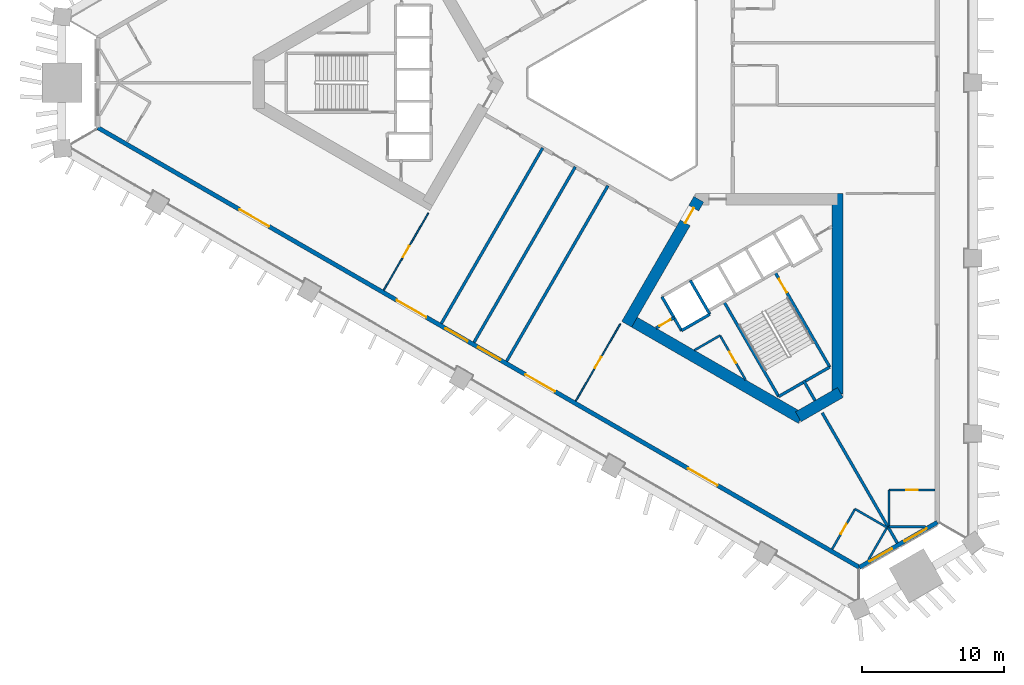
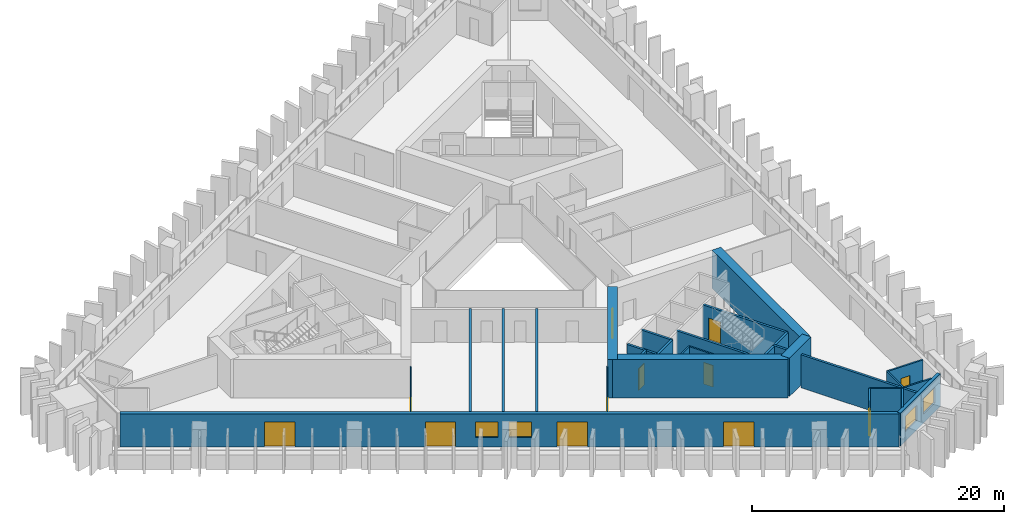
# One storey, part 2 of 10: 28 walls, 12 doors, 4 windows, 16 openings.
"""IFC4 building model written with IfcOpenShell, lengths in metres."""

from ifc_helpers import new_model, si_unit, direction, frame, frame_2d, origin, place, context, subcontext, project, spatial, rectangle, extrude, material, layer, layer_set, type_object, element, fill, save


model = new_model("IFC4")

# Units and contexts
model_context = context("Model", 3, precision=1e-05, world=origin(), true_north=direction((0.0, 1.0)))
body_context = subcontext(model_context, "Body", "Model", "MODEL_VIEW")
ifc_project = project(units=[si_unit("LENGTHUNIT", "METRE"), si_unit("AREAUNIT", "SQUARE_METRE"), si_unit("VOLUMEUNIT", "CUBIC_METRE"), si_unit("PLANEANGLEUNIT", "RADIAN"), si_unit("MASSUNIT", "GRAM", prefix="KILO")], contexts=[model_context])

# Site, building, storey
site_placement = place(None, origin())
site = spatial("IfcSite", under=ifc_project, at=site_placement, CompositionType="ELEMENT")
building_placement = place(site_placement, origin())
building = spatial("IfcBuilding", under=site, at=building_placement, Name="Jabali Bay Hotel Tower and Convention Centre", CompositionType="ELEMENT")
storey_placement = place(building_placement, frame((0.0, 0.0, 30.0)))
storey = spatial("IfcBuildingStorey", under=building, at=storey_placement, Name="L05", CompositionType="ELEMENT", Elevation=30.0)

# Wall
ifc_material_1 = material(Name="Concrete C40", Category="concrete")
ifc_layer_1 = layer(ifc_material_1, 0.199951171875)
ifc_layer_set_1 = layer_set([ifc_layer_1], Name="Concrete C40")
wall_type_1 = type_object("IfcWallType", Name="Core partition wall 200", PredefinedType="PARTITIONING", material=ifc_layer_set_1)
wall_1_placement = place(storey_placement, frame((87.090087890625, 59.0595703125, 0.0), z_axis=(0.0, 0.0, 1.0), x_axis=(0.499956811548, -0.866050337213, 0.0)))
element("IfcWall", 1, at=wall_1_placement, inside=storey, type_object=wall_type_1, Name="Core wall 2.5 L05", PredefinedType="PARTITIONING", context=body_context, shape_type="SweptSolid", body=[
    extrude(rectangle(XDim=1.623291015625, YDim=0.199951171875, at=frame_2d((0.8115234375, 0.0))), origin(), (0.0, 0.0, 1.0), 3.199951171875),
])

# Wall, opening, door
wall_2_placement = place(storey_placement, frame((76.719970703125, 62.748779296875, 0.0), z_axis=(0.0, 0.0, 1.0), x_axis=(0.866054810376, 0.49994906283, 0.0)))
wall_2 = element("IfcWall", 2, at=wall_2_placement, inside=storey, type_object=wall_type_1, Name="Core wall 2.11 L05", PredefinedType="PARTITIONING", context=body_context, shape_type="SweptSolid", body=[
    extrude(rectangle(XDim=1.461181640625, YDim=0.199951171875, at=frame_2d((0.73046875, 0.0))), origin(), (0.0, 0.0, 1.0), 3.199951171875),
])
opening_1_placement = place(wall_2_placement, frame((0.280517578125, 0.0, 0.0)))
opening_1 = element("IfcOpeningElement", 3, at=opening_1_placement, cuts=wall_2, Name="Opening D213", PredefinedType="OPENING", context=body_context, shape_type="SweptSolid", body=[
    extrude(rectangle(XDim=0.89990234375, YDim=2.10009765625, at=frame_2d((0.449951171875, 1.050048828125))), frame((0.0, 0.1103515625, 0.0), z_axis=(0.0, -1.0, 0.0), x_axis=(1.0, 0.0, 0.0)), (0.0, 0.0, 1.0), 0.220947265625),
])
ifc_material_2 = material(Name="Fire-rated steel door", Category="steel")
door_type_1 = type_object("IfcDoorType", Name="Vestibule fire door 900 x 2100", OperationType="NOTDEFINED", PredefinedType="NOTDEFINED", material=ifc_material_2)
door_1_placement = place(opening_1_placement, origin())
door_1 = element("IfcDoor", 4, at=door_1_placement, inside=storey, type_object=door_type_1, Name="Vestibule fire door D213", OperationType="SINGLE_SWING_LEFT", OverallHeight=2.10009765625, OverallWidth=0.89990234375, PredefinedType="NOTDEFINED", context=body_context, shape_type="SweptSolid", body=[
    extrude(rectangle(XDim=0.89990234375, YDim=2.10009765625, at=frame_2d((0.449951171875, 1.050048828125))), frame((0.0, 0.02490234375, 0.0), z_axis=(0.0, -1.0, 0.0), x_axis=(1.0, 0.0, 0.0)), (0.0, 0.0, 1.0), 0.050048828125),
])
fill(opening_1, door_1)

ifc_material_3 = material(Name="Fire-rated board partition")
ifc_layer_2 = layer(ifc_material_3, 0.14990234375)
ifc_layer_set_2 = layer_set([ifc_layer_2], Name="Fire-rated board partition")
wall_type_2 = type_object("IfcWallType", Name="Core room partition 150", PredefinedType="PARTITIONING", material=ifc_layer_set_2)
wall_3_placement = place(storey_placement, frame((81.218994140625, 62.228515625, 0.0), z_axis=(0.0, 0.0, 1.0), x_axis=(0.499992664208, -0.866029639064, 0.0)))
wall_3 = element("IfcWall", 5, at=wall_3_placement, inside=storey, type_object=wall_type_2, Name="Core wall 2.1 L05", PredefinedType="PARTITIONING", context=body_context, shape_type="SweptSolid", body=[
    extrude(rectangle(XDim=3.59765625, YDim=0.14990234375, at=frame_2d((1.798828125, 0.0))), origin(), (0.0, 0.0, 1.0), 3.199951171875),
])
opening_2_placement = place(wall_3_placement, frame((1.321533203125, 0.0, 0.0)))
opening_2 = element("IfcOpeningElement", 6, at=opening_2_placement, cuts=wall_3, Name="Opening D215", PredefinedType="OPENING", context=body_context, shape_type="SweptSolid", body=[
    extrude(rectangle(XDim=0.89990234375, YDim=2.10009765625, at=frame_2d((0.449951171875, 1.050048828125))), frame((0.0, 0.08544921875, 0.0), z_axis=(0.0, -1.0, 0.0), x_axis=(1.0, 0.0, 0.0)), (0.0, 0.0, 1.0), 0.1708984375),
])
door_type_2 = type_object("IfcDoorType", Name="Core room door 900 x 2100", OperationType="NOTDEFINED", PredefinedType="NOTDEFINED", material=ifc_material_2)
door_2_placement = place(opening_2_placement, origin())
door_2 = element("IfcDoor", 7, at=door_2_placement, inside=storey, type_object=door_type_2, Name="Core room door D215", OperationType="SINGLE_SWING_LEFT", OverallHeight=2.10009765625, OverallWidth=0.89990234375, PredefinedType="NOTDEFINED", context=body_context, shape_type="SweptSolid", body=[
    extrude(rectangle(XDim=0.89990234375, YDim=2.10009765625, at=frame_2d((0.449951171875, 1.050048828125))), frame((0.0, 0.02490234375, 0.0), z_axis=(0.0, -1.0, 0.0), x_axis=(1.0, 0.0, 0.0)), (0.0, 0.0, 1.0), 0.050048828125),
])
fill(opening_2, door_2)

# Walls
wall_4_placement = place(storey_placement, frame((79.419921875, 61.18994140625, 0.0), z_axis=(0.0, 0.0, 1.0), x_axis=(0.866050549317, 0.49995644413, 0.0)))
element("IfcWall", 8, at=wall_4_placement, inside=storey, type_object=wall_type_2, Name="Core wall 2.16 L05", PredefinedType="PARTITIONING", context=body_context, shape_type="SweptSolid", body=[
    extrude(rectangle(XDim=2.077392578125, YDim=0.14990234375, at=frame_2d((1.03857421875, 0.0))), origin(), (0.0, 0.0, 1.0), 3.199951171875),
])
ifc_layer_3 = layer(ifc_material_1, 0.199951171875)
ifc_layer_set_3 = layer_set([ifc_layer_3], Name="Concrete C40")
wall_type_3 = type_object("IfcWallType", Name="Core stair wall 200", PredefinedType="SOLIDWALL", material=ifc_layer_set_3)
for number, where, z_axis, x_axis, name in (
    (9, (77.13525390625, 64.95166015625, 0.0), (0.0, 0.0, 1.0), (0.499996545922, -0.866027397988, 0.0), "Core wall 2.0 L05"),
    (10, (79.127197265625, 66.1015625, 0.0), (0.0, 0.0, 1.0), (0.499996545922, -0.866027397988, 0.0), "Core wall 2.2 L05"),
):
    element("IfcWall", number, at=place(storey_placement, frame(where, z_axis=z_axis, x_axis=x_axis)), inside=storey, type_object=wall_type_3, Name=name, PredefinedType="SOLIDWALL", context=body_context, shape_type="SweptSolid", body=[
        extrude(rectangle(XDim=2.75, YDim=0.199951171875, at=frame_2d((1.375, 0.0))), origin(), (0.0, 0.0, 1.0), 3.199951171875),
    ])
wall_5_placement = place(storey_placement, frame((81.492919921875, 64.603759765625, 0.0), z_axis=(0.0, 0.0, 1.0), x_axis=(0.500006057782, -0.866021906294, 0.0)))
element("IfcWall", 11, at=wall_5_placement, inside=storey, type_object=wall_type_3, Name="Core wall 2.3 L05", PredefinedType="SOLIDWALL", context=body_context, shape_type="SweptSolid", body=[
    extrude(rectangle(XDim=7.7001953125, YDim=0.199951171875, at=frame_2d((3.85009765625, 0.0))), origin(), (0.0, 0.0, 1.0), 3.199951171875),
])

# Wall, opening, door
wall_6_placement = place(storey_placement, frame((85.0869140625, 66.6787109375, 0.0), z_axis=(0.0, 0.0, 1.0), x_axis=(0.500019787375, -0.866013979237, 0.0)))
wall_6 = element("IfcWall", 12, at=wall_6_placement, inside=storey, type_object=wall_type_3, Name="Core wall 2.7 L05", PredefinedType="SOLIDWALL", context=body_context, shape_type="SweptSolid", body=[
    extrude(rectangle(XDim=7.699951171875, YDim=0.199951171875, at=frame_2d((3.85009765625, 0.0))), origin(), (0.0, 0.0, 1.0), 3.199951171875),
])
opening_3_placement = place(wall_6_placement, frame((0.550048828125, 0.0, 0.0)))
opening_3 = element("IfcOpeningElement", 13, at=opening_3_placement, cuts=wall_6, Name="Opening D214", PredefinedType="OPENING", context=body_context, shape_type="SweptSolid", body=[
    extrude(rectangle(XDim=1.10009765625, YDim=2.10009765625, at=frame_2d((0.550048828125, 1.050048828125))), frame((0.0, 0.1103515625, 0.0), z_axis=(0.0, -1.0, 0.0), x_axis=(1.0, 0.0, 0.0)), (0.0, 0.0, 1.0), 0.220947265625),
])
door_type_3 = type_object("IfcDoorType", Name="Stair fire door 1100 x 2100", OperationType="NOTDEFINED", PredefinedType="NOTDEFINED", material=ifc_material_2)
door_3_placement = place(opening_3_placement, origin())
door_3 = element("IfcDoor", 14, at=door_3_placement, inside=storey, type_object=door_type_3, Name="Stair fire door D214", OperationType="SINGLE_SWING_RIGHT", OverallHeight=2.10009765625, OverallWidth=1.10009765625, PredefinedType="NOTDEFINED", context=body_context, shape_type="SweptSolid", body=[
    extrude(rectangle(XDim=1.10009765625, YDim=2.10009765625, at=frame_2d((0.550048828125, 1.050048828125))), frame((0.0, 0.02490234375, 0.0), z_axis=(0.0, -1.0, 0.0), x_axis=(1.0, 0.0, 0.0)), (0.0, 0.0, 1.0), 0.050048828125),
])
fill(opening_3, door_3)

# Walls
wall_7_placement = place(storey_placement, frame((78.51025390625, 62.570068359375, 0.0), z_axis=(0.0, 0.0, 1.0), x_axis=(0.866053019151, 0.499952165731, 0.0)))
element("IfcWall", 15, at=wall_7_placement, inside=storey, type_object=wall_type_3, Name="Core wall 2.14 L05", PredefinedType="SOLIDWALL", context=body_context, shape_type="SweptSolid", body=[
    extrude(rectangle(XDim=2.300048828125, YDim=0.199951171875, at=frame_2d((1.14990234375, 0.0))), origin(), (0.0, 0.0, 1.0), 3.199951171875),
])
wall_8_placement = place(storey_placement, frame((85.343017578125, 57.935302734375, 0.0), z_axis=(0.0, 0.0, 1.0), x_axis=(0.866004344652, 0.500036473714, 0.0)))
element("IfcWall", 16, at=wall_8_placement, inside=storey, type_object=wall_type_3, Name="Core wall 2.17 L05", PredefinedType="SOLIDWALL", context=body_context, shape_type="SweptSolid", body=[
    extrude(rectangle(XDim=4.150146484375, YDim=0.199951171875, at=frame_2d((2.0751953125, 0.0))), origin(), (0.0, 0.0, 1.0), 3.199951171875),
])

# Wall, opening, door
ifc_material_4 = material(Name="Concrete C60", Category="concrete")
ifc_layer_4 = layer(ifc_material_4, 0.800048828125)
ifc_layer_set_4 = layer_set([ifc_layer_4], Name="Concrete C60")
wall_type_4 = type_object("IfcWallType", Name="Core wall 800", PredefinedType="SHEAR", material=ifc_layer_set_4)
wall_9_placement = place(storey_placement, frame((79.73095703125, 71.8056640625, 0.0), z_axis=(0.0, 0.0, 1.0), x_axis=(-0.49999662545, -0.866027352073, 0.0)))
wall_9 = element("IfcWall", 17, at=wall_9_placement, inside=storey, type_object=wall_type_4, Name="Core wall 3.1 L05", PredefinedType="SHEAR", context=body_context, shape_type="SweptSolid", body=[
    extrude(rectangle(XDim=10.14892578125, YDim=0.800048828125, at=frame_2d((5.074462890625, 0.0))), origin(), (0.0, 0.0, 1.0), 3.699951171875),
])
opening_4_placement = place(wall_9_placement, frame((0.718994140625, 0.0, 0.0)))
opening_4 = element("IfcOpeningElement", 18, at=opening_4_placement, cuts=wall_9, Name="Opening D210", PredefinedType="OPENING", context=body_context, shape_type="SweptSolid", body=[
    extrude(rectangle(XDim=1.199951171875, YDim=2.10009765625, at=frame_2d((0.60009765625, 1.050048828125))), frame((0.0, 0.41064453125, 0.0), z_axis=(0.0, -1.0, 0.0), x_axis=(1.0, 0.0, 0.0)), (0.0, 0.0, 1.0), 0.821044921875),
])
door_type_4 = type_object("IfcDoorType", Name="Corridor end fire door 1200 x 2100", OperationType="NOTDEFINED", PredefinedType="NOTDEFINED", material=ifc_material_2)
door_4_placement = place(opening_4_placement, origin())
door_4 = element("IfcDoor", 19, at=door_4_placement, inside=storey, type_object=door_type_4, Name="Corridor end fire door D210", OperationType="SINGLE_SWING_RIGHT", OverallHeight=2.10009765625, OverallWidth=1.199951171875, PredefinedType="NOTDEFINED", context=body_context, shape_type="SweptSolid", body=[
    extrude(rectangle(XDim=1.199951171875, YDim=2.10009765625, at=frame_2d((0.60009765625, 1.050048828125))), frame((0.0, 0.02490234375, 0.0), z_axis=(0.0, -1.0, 0.0), x_axis=(1.0, 0.0, 0.0)), (0.0, 0.0, 1.0), 0.050048828125),
])
fill(opening_4, door_4)

# Walls
wall_10_placement = place(storey_placement, frame((74.8564453125, 63.36279296875, 0.0), z_axis=(0.0, 0.0, 1.0), x_axis=(0.866029478545, -0.499992942241, 0.0)))
element("IfcWall", 20, at=wall_10_placement, inside=storey, type_object=wall_type_4, Name="Core wall 3.2 L05", PredefinedType="SHEAR", context=body_context, shape_type="SweptSolid", body=[
    extrude(rectangle(XDim=13.933349609375, YDim=0.800048828125, at=frame_2d((6.966796875, 0.0))), origin(), (0.0, 0.0, 1.0), 3.699951171875),
])
wall_11_placement = place(storey_placement, frame((86.72314453125, 56.51171875, 0.0), z_axis=(0.0, 0.0, 1.0), x_axis=(0.866034355626, 0.499984494636, 0.0)))
element("IfcWall", 21, at=wall_11_placement, inside=storey, type_object=wall_type_4, Name="Core wall 3.3 L05", PredefinedType="SHEAR", context=body_context, shape_type="SweptSolid", body=[
    extrude(rectangle(XDim=3.4140625, YDim=0.800048828125, at=frame_2d((1.70703125, 0.0))), origin(), (0.0, 0.0, 1.0), 3.699951171875),
])
wall_12_placement = place(storey_placement, frame((89.47998046875, 58.103271484375, 0.0), z_axis=(0.0, 0.0, 1.0), x_axis=(0.0, 1.0, 0.0)))
element("IfcWall", 22, at=wall_12_placement, inside=storey, type_object=wall_type_4, Name="Core wall 3.4 L05", PredefinedType="SHEAR", context=body_context, shape_type="SweptSolid", body=[
    extrude(rectangle(XDim=14.1025390625, YDim=0.800048828125, at=frame_2d((7.05126953125, 0.0))), origin(), (0.0, 0.0, 1.0), 3.699951171875),
])

# Wall, openings, windows
ifc_layer_5 = layer(ifc_material_1, 0.300048828125)
ifc_layer_set_5 = layer_set([ifc_layer_5], Name="Concrete C40")
wall_type_5 = type_object("IfcWallType", Name="External wall 300", PredefinedType="SOLIDWALL", material=ifc_layer_set_5)
wall_13_placement = place(storey_placement, frame((96.5, 49.087646484375, 0.0), z_axis=(0.0, 0.0, 1.0), x_axis=(-0.866033291922, -0.499986337096, 0.0)))
wall_13 = element("IfcWall", 23, at=wall_13_placement, inside=storey, type_object=wall_type_5, Name="External wall south-east chamfer L05", PredefinedType="SOLIDWALL", context=body_context, shape_type="SweptSolid", body=[
    extrude(rectangle(XDim=6.326904296875, YDim=0.300048828125, at=frame_2d((3.16357421875, 0.0))), origin(), (0.0, 0.0, 1.0), 3.199951171875),
])
opening_5_placement = place(wall_13_placement, frame((0.86279296875, 0.0, 0.89990234375)))
opening_5 = element("IfcOpeningElement", 24, at=opening_5_placement, cuts=wall_13, Name="Opening W1", PredefinedType="OPENING", context=body_context, shape_type="SweptSolid", body=[
    extrude(rectangle(XDim=1.800048828125, YDim=1.5, at=frame_2d((0.89990234375, 0.75))), frame((0.0, 0.16064453125, 0.0), z_axis=(0.0, -1.0, 0.0), x_axis=(1.0, 0.0, 0.0)), (0.0, 0.0, 1.0), 0.321044921875),
])
opening_6_placement = place(wall_13_placement, frame((3.69384765625, 0.0, 0.89990234375)))
opening_6 = element("IfcOpeningElement", 25, at=opening_6_placement, cuts=wall_13, Name="Opening W1", PredefinedType="OPENING", context=body_context, shape_type="SweptSolid", body=[
    extrude(rectangle(XDim=1.800048828125, YDim=1.5, at=frame_2d((0.89990234375, 0.75))), frame((0.0, 0.16064453125, 0.0), z_axis=(0.0, -1.0, 0.0), x_axis=(1.0, 0.0, 0.0)), (0.0, 0.0, 1.0), 0.321044921875),
])
ifc_material_5 = material(Name="Glass", Category="glass")
window_type = type_object("IfcWindowType", Name="Window 1800 x 1500", PartitioningType="SINGLE_PANEL", PredefinedType="WINDOW", material=ifc_material_5)
window_1_placement = place(opening_5_placement, origin())
window_1 = element("IfcWindow", 26, at=window_1_placement, inside=storey, type_object=window_type, Name="Window 501", OverallHeight=1.5, OverallWidth=1.800048828125, PartitioningType="SINGLE_PANEL", PredefinedType="WINDOW", context=body_context, shape_type="SweptSolid", body=[
    extrude(rectangle(XDim=1.800048828125, YDim=1.5, at=frame_2d((0.89990234375, 0.75))), frame((0.0, 0.030029296875, 0.0), z_axis=(0.0, -1.0, 0.0), x_axis=(1.0, 0.0, 0.0)), (0.0, 0.0, 1.0), 0.06005859375),
])
fill(opening_5, window_1)
window_2_placement = place(opening_6_placement, origin())
window_2 = element("IfcWindow", 27, at=window_2_placement, inside=storey, type_object=window_type, Name="Window 510", OverallHeight=1.5, OverallWidth=1.800048828125, PartitioningType="SINGLE_PANEL", PredefinedType="WINDOW", context=body_context, shape_type="SweptSolid", body=[
    extrude(rectangle(XDim=1.800048828125, YDim=1.5, at=frame_2d((0.89990234375, 0.75))), frame((0.0, 0.030029296875, 0.0), z_axis=(0.0, -1.0, 0.0), x_axis=(1.0, 0.0, 0.0)), (0.0, 0.0, 1.0), 0.06005859375),
])
fill(opening_6, window_2)

# Wall, openings, doors, windows
wall_14_placement = place(storey_placement, frame((91.020751953125, 45.92431640625, 0.0), z_axis=(0.0, 0.0, 1.0), x_axis=(-0.866024340432, 0.500001841776, 0.0)))
wall_14 = element("IfcWall", 28, at=wall_14_placement, inside=storey, type_object=wall_type_5, Name="External wall south-west face L05", PredefinedType="SOLIDWALL", context=body_context, shape_type="SweptSolid", body=[
    extrude(rectangle(XDim=61.824462890625, YDim=0.300048828125, at=frame_2d((30.912109375, 0.0))), origin(), (0.0, 0.0, 1.0), 3.199951171875),
])
opening_7_placement = place(wall_14_placement, frame((35.168212890625, 0.0, 0.0)))
opening_7 = element("IfcOpeningElement", 29, at=opening_7_placement, cuts=wall_14, Name="Opening SD1", PredefinedType="OPENING", context=body_context, shape_type="SweptSolid", body=[
    extrude(rectangle(XDim=2.39990234375, YDim=2.39990234375, at=frame_2d((1.199951171875, 1.199951171875))), frame((0.0, 0.16064453125, 0.0), z_axis=(0.0, -1.0, 0.0), x_axis=(1.0, 0.0, 0.0)), (0.0, 0.0, 1.0), 0.321044921875),
])
opening_8_placement = place(wall_14_placement, frame((47.930419921875, 0.0, 0.0)))
opening_8 = element("IfcOpeningElement", 30, at=opening_8_placement, cuts=wall_14, Name="Opening SD1", PredefinedType="OPENING", context=body_context, shape_type="SweptSolid", body=[
    extrude(rectangle(XDim=2.39990234375, YDim=2.39990234375, at=frame_2d((1.199951171875, 1.199951171875))), frame((0.0, 0.16064453125, 0.0), z_axis=(0.0, -1.0, 0.0), x_axis=(1.0, 0.0, 0.0)), (0.0, 0.0, 1.0), 0.321044921875),
])
opening_9_placement = place(wall_14_placement, frame((24.72412109375, 0.0, 0.0)))
opening_9 = element("IfcOpeningElement", 31, at=opening_9_placement, cuts=wall_14, Name="Opening SD1", PredefinedType="OPENING", context=body_context, shape_type="SweptSolid", body=[
    extrude(rectangle(XDim=2.39990234375, YDim=2.39990234375, at=frame_2d((1.199951171875, 1.199951171875))), frame((0.0, 0.16064453125, 0.0), z_axis=(0.0, -1.0, 0.0), x_axis=(1.0, 0.0, 0.0)), (0.0, 0.0, 1.0), 0.321044921875),
])
opening_10_placement = place(wall_14_placement, frame((11.509033203125, 0.0, 0.0)))
opening_10 = element("IfcOpeningElement", 32, at=opening_10_placement, cuts=wall_14, Name="Opening SD1", PredefinedType="OPENING", context=body_context, shape_type="SweptSolid", body=[
    extrude(rectangle(XDim=2.39990234375, YDim=2.39990234375, at=frame_2d((1.199951171875, 1.199951171875))), frame((0.0, 0.16064453125, 0.0), z_axis=(0.0, -1.0, 0.0), x_axis=(1.0, 0.0, 0.0)), (0.0, 0.0, 1.0), 0.321044921875),
])
opening_11_placement = place(wall_14_placement, frame((31.804931640625, 0.0, 0.89990234375)))
opening_11 = element("IfcOpeningElement", 33, at=opening_11_placement, cuts=wall_14, Name="Opening W1", PredefinedType="OPENING", context=body_context, shape_type="SweptSolid", body=[
    extrude(rectangle(XDim=1.800048828125, YDim=1.5, at=frame_2d((0.89990234375, 0.75))), frame((0.0, 0.16064453125, 0.0), z_axis=(0.0, -1.0, 0.0), x_axis=(1.0, 0.0, 0.0)), (0.0, 0.0, 1.0), 0.321044921875),
])
opening_12_placement = place(wall_14_placement, frame((29.155029296875, 0.0, 0.89990234375)))
opening_12 = element("IfcOpeningElement", 34, at=opening_12_placement, cuts=wall_14, Name="Opening W1", PredefinedType="OPENING", context=body_context, shape_type="SweptSolid", body=[
    extrude(rectangle(XDim=1.800048828125, YDim=1.5, at=frame_2d((0.89990234375, 0.75))), frame((0.0, 0.16064453125, 0.0), z_axis=(0.0, -1.0, 0.0), x_axis=(1.0, 0.0, 0.0)), (0.0, 0.0, 1.0), 0.321044921875),
])
door_type_5 = type_object("IfcDoorType", Name="Loggia sliding door 2400 x 2400", OperationType="NOTDEFINED", PredefinedType="NOTDEFINED", material=ifc_material_5)
door_5_placement = place(opening_7_placement, origin())
door_5 = element("IfcDoor", 35, at=door_5_placement, inside=storey, type_object=door_type_5, Name="Loggia sliding door 507", OperationType="SLIDING_TO_LEFT", OverallHeight=2.39990234375, OverallWidth=2.39990234375, PredefinedType="NOTDEFINED", context=body_context, shape_type="SweptSolid", body=[
    extrude(rectangle(XDim=2.39990234375, YDim=2.39990234375, at=frame_2d((1.199951171875, 1.199951171875))), frame((0.0, 0.02490234375, 0.0), z_axis=(0.0, -1.0, 0.0), x_axis=(1.0, 0.0, 0.0)), (0.0, 0.0, 1.0), 0.050048828125),
])
fill(opening_7, door_5)
door_6_placement = place(opening_8_placement, origin())
door_6 = element("IfcDoor", 36, at=door_6_placement, inside=storey, type_object=door_type_5, Name="Loggia sliding door 507", OperationType="SLIDING_TO_RIGHT", OverallHeight=2.39990234375, OverallWidth=2.39990234375, PredefinedType="NOTDEFINED", context=body_context, shape_type="SweptSolid", body=[
    extrude(rectangle(XDim=2.39990234375, YDim=2.39990234375, at=frame_2d((1.199951171875, 1.199951171875))), frame((0.0, 0.02490234375, 0.0), z_axis=(0.0, -1.0, 0.0), x_axis=(1.0, 0.0, 0.0)), (0.0, 0.0, 1.0), 0.050048828125),
])
fill(opening_8, door_6)
door_7_placement = place(opening_9_placement, origin())
door_7 = element("IfcDoor", 37, at=door_7_placement, inside=storey, type_object=door_type_5, Name="Loggia sliding door 510", OperationType="SLIDING_TO_LEFT", OverallHeight=2.39990234375, OverallWidth=2.39990234375, PredefinedType="NOTDEFINED", context=body_context, shape_type="SweptSolid", body=[
    extrude(rectangle(XDim=2.39990234375, YDim=2.39990234375, at=frame_2d((1.199951171875, 1.199951171875))), frame((0.0, 0.02490234375, 0.0), z_axis=(0.0, -1.0, 0.0), x_axis=(1.0, 0.0, 0.0)), (0.0, 0.0, 1.0), 0.050048828125),
])
fill(opening_9, door_7)
door_8_placement = place(opening_10_placement, origin())
door_8 = element("IfcDoor", 38, at=door_8_placement, inside=storey, type_object=door_type_5, Name="Loggia sliding door 510", OperationType="SLIDING_TO_RIGHT", OverallHeight=2.39990234375, OverallWidth=2.39990234375, PredefinedType="NOTDEFINED", context=body_context, shape_type="SweptSolid", body=[
    extrude(rectangle(XDim=2.39990234375, YDim=2.39990234375, at=frame_2d((1.199951171875, 1.199951171875))), frame((0.0, 0.02490234375, 0.0), z_axis=(0.0, -1.0, 0.0), x_axis=(1.0, 0.0, 0.0)), (0.0, 0.0, 1.0), 0.050048828125),
])
fill(opening_10, door_8)
window_3_placement = place(opening_11_placement, origin())
window_3 = element("IfcWindow", 39, at=window_3_placement, inside=storey, type_object=window_type, Name="Window 508", OverallHeight=1.5, OverallWidth=1.800048828125, PartitioningType="SINGLE_PANEL", PredefinedType="WINDOW", context=body_context, shape_type="SweptSolid", body=[
    extrude(rectangle(XDim=1.800048828125, YDim=1.5, at=frame_2d((0.89990234375, 0.75))), frame((0.0, 0.030029296875, 0.0), z_axis=(0.0, -1.0, 0.0), x_axis=(1.0, 0.0, 0.0)), (0.0, 0.0, 1.0), 0.06005859375),
])
fill(opening_11, window_3)
window_4_placement = place(opening_12_placement, origin())
window_4 = element("IfcWindow", 40, at=window_4_placement, inside=storey, type_object=window_type, Name="Window 509", OverallHeight=1.5, OverallWidth=1.800048828125, PartitioningType="SINGLE_PANEL", PredefinedType="WINDOW", context=body_context, shape_type="SweptSolid", body=[
    extrude(rectangle(XDim=1.800048828125, YDim=1.5, at=frame_2d((0.89990234375, 0.75))), frame((0.0, 0.030029296875, 0.0), z_axis=(0.0, -1.0, 0.0), x_axis=(1.0, 0.0, 0.0)), (0.0, 0.0, 1.0), 0.06005859375),
])
fill(opening_12, window_4)

# Wall, opening, door
ifc_material_6 = material(Name="Plasterboard on steel stud", Category="steel")
ifc_layer_6 = layer(ifc_material_6, 0.10009765625)
ifc_layer_set_6 = layer_set([ifc_layer_6], Name="Plasterboard on steel stud")
wall_type_6 = type_object("IfcWallType", Name="Partition 100 unit", PredefinedType="PARTITIONING", material=ifc_layer_set_6)
wall_15_placement = place(storey_placement, frame((60.71044921875, 70.83837890625, 0.0), z_axis=(0.0, 0.0, 1.0), x_axis=(-0.499986391729, -0.866033260381, 0.0)))
wall_15 = element("IfcWall", 41, at=wall_15_placement, inside=storey, type_object=wall_type_6, Name="Partition P02 L05 027", PredefinedType="PARTITIONING", context=body_context, shape_type="SweptSolid", body=[
    extrude(rectangle(XDim=6.272216796875, YDim=0.10009765625, at=frame_2d((3.13623046875, 0.0))), origin(), (0.0, 0.0, 1.0), 3.199951171875),
])
opening_13_placement = place(wall_15_placement, frame((2.68603515625, 0.0, 0.0)))
opening_13 = element("IfcOpeningElement", 42, at=opening_13_placement, cuts=wall_15, Name="Opening 0517", PredefinedType="OPENING", context=body_context, shape_type="SweptSolid", body=[
    extrude(rectangle(XDim=0.89990234375, YDim=2.10009765625, at=frame_2d((0.449951171875, 1.050048828125))), frame((0.0, 0.060546875, 0.0), z_axis=(0.0, -1.0, 0.0), x_axis=(1.0, 0.0, 0.0)), (0.0, 0.0, 1.0), 0.12109375),
])
ifc_material_7 = material(Name="Timber", Category="wood")
door_type_6 = type_object("IfcDoorType", Name="Internal door 900 x 2100", OperationType="NOTDEFINED", PredefinedType="NOTDEFINED", material=ifc_material_7)
door_9_placement = place(opening_13_placement, origin())
door_9 = element("IfcDoor", 43, at=door_9_placement, inside=storey, type_object=door_type_6, Name="Door 0517", OperationType="SINGLE_SWING_RIGHT", OverallHeight=2.10009765625, OverallWidth=0.89990234375, PredefinedType="NOTDEFINED", context=body_context, shape_type="SweptSolid", body=[
    extrude(rectangle(XDim=0.89990234375, YDim=2.10009765625, at=frame_2d((0.449951171875, 1.050048828125))), frame((0.0, 0.02490234375, 0.0), z_axis=(0.0, -1.0, 0.0), x_axis=(1.0, 0.0, 0.0)), (0.0, 0.0, 1.0), 0.050048828125),
])
fill(opening_13, door_9)

wall_16_placement = place(storey_placement, frame((71.074462890625, 57.6123046875, 0.0), z_axis=(0.0, 0.0, 1.0), x_axis=(0.499986391729, 0.866033260381, 0.0)))
wall_16 = element("IfcWall", 44, at=wall_16_placement, inside=storey, type_object=wall_type_6, Name="Partition P02 L05 034", PredefinedType="PARTITIONING", context=body_context, shape_type="SweptSolid", body=[
    extrude(rectangle(XDim=6.272216796875, YDim=0.10009765625, at=frame_2d((3.13623046875, 0.0))), origin(), (0.0, 0.0, 1.0), 3.199951171875),
])
opening_14_placement = place(wall_16_placement, frame((2.68603515625, 0.0, 0.0)))
opening_14 = element("IfcOpeningElement", 45, at=opening_14_placement, cuts=wall_16, Name="Opening 0522", PredefinedType="OPENING", context=body_context, shape_type="SweptSolid", body=[
    extrude(rectangle(XDim=0.89990234375, YDim=2.10009765625, at=frame_2d((0.449951171875, 1.050048828125))), frame((0.0, 0.060546875, 0.0), z_axis=(0.0, -1.0, 0.0), x_axis=(1.0, 0.0, 0.0)), (0.0, 0.0, 1.0), 0.12109375),
])
door_10_placement = place(opening_14_placement, origin())
door_10 = element("IfcDoor", 46, at=door_10_placement, inside=storey, type_object=door_type_6, Name="Door 0522", OperationType="SINGLE_SWING_LEFT", OverallHeight=2.10009765625, OverallWidth=0.89990234375, PredefinedType="NOTDEFINED", context=body_context, shape_type="SweptSolid", body=[
    extrude(rectangle(XDim=0.89990234375, YDim=2.10009765625, at=frame_2d((0.449951171875, 1.050048828125))), frame((0.0, 0.02490234375, 0.0), z_axis=(0.0, -1.0, 0.0), x_axis=(1.0, 0.0, 0.0)), (0.0, 0.0, 1.0), 0.050048828125),
])
fill(opening_14, door_10)

# Walls
ifc_layer_7 = layer(ifc_material_6, 0.14990234375)
ifc_layer_set_7 = layer_set([ifc_layer_7], Name="Plasterboard on steel stud")
wall_type_7 = type_object("IfcWallType", Name="Partition 150 wet", PredefinedType="PARTITIONING", material=ifc_layer_set_7)
wall_17_placement = place(storey_placement, frame((95.662353515625, 48.776123046875, 0.0), z_axis=(0.0, 0.0, 1.0), x_axis=(-1.0, 0.0, 0.0)))
element("IfcWall", 47, at=wall_17_placement, inside=storey, type_object=wall_type_7, Name="Partition P03 L05 004", PredefinedType="PARTITIONING", context=body_context, shape_type="SweptSolid", body=[
    extrude(rectangle(XDim=2.560791015625, YDim=0.14990234375, at=frame_2d((1.2802734375, 0.0))), origin(), (0.0, 0.0, 1.0), 3.199951171875),
])
wall_18_placement = place(storey_placement, frame((93.1015625, 48.776123046875, 0.0), z_axis=(0.0, 0.0, 1.0), x_axis=(0.0, 1.0, 0.0)))
element("IfcWall", 48, at=wall_18_placement, inside=storey, type_object=wall_type_7, Name="Partition P03 L05 005", PredefinedType="PARTITIONING", context=body_context, shape_type="SweptSolid", body=[
    extrude(rectangle(XDim=2.60009765625, YDim=0.14990234375, at=frame_2d((1.300048828125, 0.0))), origin(), (0.0, 0.0, 1.0), 3.199951171875),
])

# Wall, opening, door
wall_19_placement = place(storey_placement, frame((93.1015625, 51.376220703125, 0.0), z_axis=(0.0, 0.0, 1.0), x_axis=(0.999982829145, -0.005860154821, 0.0)))
wall_19 = element("IfcWall", 49, at=wall_19_placement, inside=storey, type_object=wall_type_7, Name="Partition P03 L05 006", PredefinedType="PARTITIONING", context=body_context, shape_type="SweptSolid", body=[
    extrude(rectangle(XDim=3.24951171875, YDim=0.14990234375, at=frame_2d((1.624755859375, 0.0))), origin(), (0.0, 0.0, 1.0), 3.199951171875),
])
opening_15_placement = place(wall_19_placement, frame((1.22509765625, 0.0, 0.0)))
opening_15 = element("IfcOpeningElement", 50, at=opening_15_placement, cuts=wall_19, Name="Opening 0503", PredefinedType="OPENING", context=body_context, shape_type="SweptSolid", body=[
    extrude(rectangle(XDim=0.800048828125, YDim=2.10009765625, at=frame_2d((0.39990234375, 1.050048828125))), frame((0.0, 0.08544921875, 0.0), z_axis=(0.0, -1.0, 0.0), x_axis=(1.0, 0.0, 0.0)), (0.0, 0.0, 1.0), 0.1708984375),
])
door_type_7 = type_object("IfcDoorType", Name="En-suite door 800 x 2100", OperationType="NOTDEFINED", PredefinedType="NOTDEFINED", material=ifc_material_7)
door_11_placement = place(opening_15_placement, origin())
door_11 = element("IfcDoor", 51, at=door_11_placement, inside=storey, type_object=door_type_7, Name="Door 0503", OperationType="SINGLE_SWING_LEFT", OverallHeight=2.10009765625, OverallWidth=0.800048828125, PredefinedType="NOTDEFINED", context=body_context, shape_type="SweptSolid", body=[
    extrude(rectangle(XDim=0.800048828125, YDim=2.10009765625, at=frame_2d((0.39990234375, 1.050048828125))), frame((0.0, 0.02490234375, 0.0), z_axis=(0.0, -1.0, 0.0), x_axis=(1.0, 0.0, 0.0)), (0.0, 0.0, 1.0), 0.050048828125),
])
fill(opening_15, door_11)

wall_20_placement = place(storey_placement, frame((89.104248046875, 47.202880859375, 0.0), z_axis=(0.0, 0.0, 1.0), x_axis=(0.494941047154, 0.868926556069, 0.0)))
wall_20 = element("IfcWall", 52, at=wall_20_placement, inside=storey, type_object=wall_type_7, Name="Partition P03 L05 035", PredefinedType="PARTITIONING", context=body_context, shape_type="SweptSolid", body=[
    extrude(rectangle(XDim=3.249755859375, YDim=0.14990234375, at=frame_2d((1.625, 0.0))), origin(), (0.0, 0.0, 1.0), 3.199951171875),
])
opening_16_placement = place(wall_20_placement, frame((1.22509765625, 0.0, 0.0)))
opening_16 = element("IfcOpeningElement", 53, at=opening_16_placement, cuts=wall_20, Name="Opening 0523", PredefinedType="OPENING", context=body_context, shape_type="SweptSolid", body=[
    extrude(rectangle(XDim=0.800048828125, YDim=2.10009765625, at=frame_2d((0.39990234375, 1.050048828125))), frame((0.0, 0.08544921875, 0.0), z_axis=(0.0, -1.0, 0.0), x_axis=(1.0, 0.0, 0.0)), (0.0, 0.0, 1.0), 0.1708984375),
])
door_12_placement = place(opening_16_placement, origin())
door_12 = element("IfcDoor", 54, at=door_12_placement, inside=storey, type_object=door_type_7, Name="Door 0523", OperationType="SINGLE_SWING_LEFT", OverallHeight=2.10009765625, OverallWidth=0.800048828125, PredefinedType="NOTDEFINED", context=body_context, shape_type="SweptSolid", body=[
    extrude(rectangle(XDim=0.800048828125, YDim=2.10009765625, at=frame_2d((0.39990234375, 1.050048828125))), frame((0.0, 0.02490234375, 0.0), z_axis=(0.0, -1.0, 0.0), x_axis=(1.0, 0.0, 0.0)), (0.0, 0.0, 1.0), 0.050048828125),
])
fill(opening_16, door_12)

# Walls
wall_21_placement = place(storey_placement, frame((90.712646484375, 50.026611328125, 0.0), z_axis=(0.0, 0.0, 1.0), x_axis=(0.865997922154, -0.500047596559, 0.0)))
element("IfcWall", 55, at=wall_21_placement, inside=storey, type_object=wall_type_7, Name="Partition P03 L05 036", PredefinedType="PARTITIONING", context=body_context, shape_type="SweptSolid", body=[
    extrude(rectangle(XDim=2.599853515625, YDim=0.14990234375, at=frame_2d((1.2998046875, 0.0))), origin(), (0.0, 0.0, 1.0), 3.199951171875),
])
wall_22_placement = place(storey_placement, frame((92.964111328125, 48.7265625, 0.0), z_axis=(0.0, 0.0, 1.0), x_axis=(-0.499948995201, -0.866054849417, 0.0)))
element("IfcWall", 56, at=wall_22_placement, inside=storey, type_object=wall_type_7, Name="Partition P03 L05 037", PredefinedType="PARTITIONING", context=body_context, shape_type="SweptSolid", body=[
    extrude(rectangle(XDim=2.612060546875, YDim=0.14990234375, at=frame_2d((1.30615234375, 0.0))), origin(), (0.0, 0.0, 1.0), 3.199951171875),
])
ifc_layer_8 = layer(ifc_material_6, 0.199951171875)
ifc_layer_set_8 = layer_set([ifc_layer_8], Name="Plasterboard on steel stud")
wall_type_8 = type_object("IfcWallType", Name="Partition 200 party", PredefinedType="PARTITIONING", material=ifc_layer_set_8)
wall_23_placement = place(storey_placement, frame((88.401123046875, 56.788818359375, 0.0), z_axis=(0.0, 0.0, 1.0), x_axis=(0.499997037832, -0.866027113986, 0.0)))
element("IfcWall", 57, at=wall_23_placement, inside=storey, type_object=wall_type_8, Name="Partition P01 L05 007", PredefinedType="PARTITIONING", context=body_context, shape_type="SweptSolid", body=[
    extrude(rectangle(XDim=10.56982421875, YDim=0.199951171875, at=frame_2d((5.284912109375, 0.0))), origin(), (0.0, 0.0, 1.0), 3.199951171875),
])
wall_24_placement = place(storey_placement, frame((61.62451171875, 63.068359375, 0.0), z_axis=(0.0, 0.0, 1.0), x_axis=(0.499997291418, 0.866026967579, 0.0)))
element("IfcWall", 58, at=wall_24_placement, inside=storey, type_object=wall_type_8, Name="Partition P01 L05 028", PredefinedType="PARTITIONING", context=body_context, shape_type="SweptSolid", body=[
    extrude(rectangle(XDim=14.2509765625, YDim=0.199951171875, at=frame_2d((7.12548828125, 0.0))), origin(), (0.0, 0.0, 1.0), 3.199951171875),
])
wall_25_placement = place(storey_placement, frame((63.91943359375, 61.743408203125, 0.0), z_axis=(0.0, 0.0, 1.0), x_axis=(0.500004709601, 0.866022684678, 0.0)))
element("IfcWall", 59, at=wall_25_placement, inside=storey, type_object=wall_type_8, Name="Partition P01 L05 032", PredefinedType="PARTITIONING", context=body_context, shape_type="SweptSolid", body=[
    extrude(rectangle(XDim=14.250732421875, YDim=0.199951171875, at=frame_2d((7.12548828125, 0.0))), origin(), (0.0, 0.0, 1.0), 3.199951171875),
])
wall_26_placement = place(storey_placement, frame((66.214599609375, 60.418212890625, 0.0), z_axis=(0.0, 0.0, 1.0), x_axis=(0.499997291418, 0.866026967579, 0.0)))
element("IfcWall", 60, at=wall_26_placement, inside=storey, type_object=wall_type_8, Name="Partition P01 L05 033", PredefinedType="PARTITIONING", context=body_context, shape_type="SweptSolid", body=[
    extrude(rectangle(XDim=14.2509765625, YDim=0.199951171875, at=frame_2d((7.12548828125, 0.0))), origin(), (0.0, 0.0, 1.0), 3.199951171875),
])

save(model, "model.ifc")
